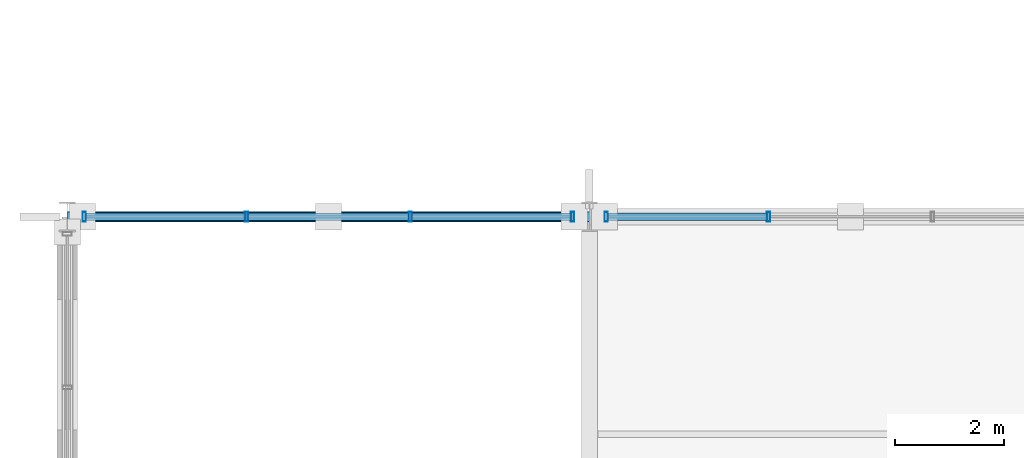
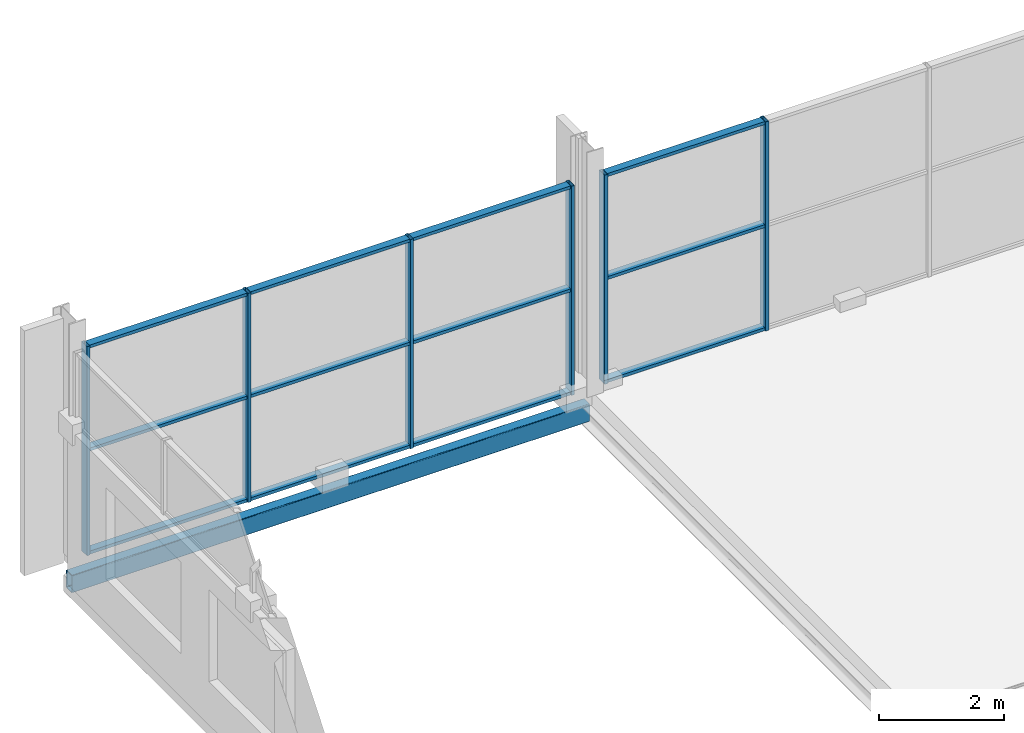
# One storey, part 80 of 159: 18 members, 1 beam, 2 elements without a shape of their own.
"""IFC4 building model written with IfcOpenShell, lengths in metres."""

from ifc_helpers import new_model, si_unit, direction, frame, origin, origin_2d, place, context, subcontext, project, spatial, hollow_rectangle, extrude, material, material_profile, profile_set, type_object, element, aggregate, save


model = new_model("IFC4")

# Units and contexts
model_context = context("Model", 3, precision=1e-05, world=origin(), true_north=direction((0.0, 1.0)))
body_context = subcontext(model_context, "Body", "Model", "MODEL_VIEW")
ifc_project = project(units=[si_unit("LENGTHUNIT", "METRE"), si_unit("AREAUNIT", "SQUARE_METRE"), si_unit("VOLUMEUNIT", "CUBIC_METRE"), si_unit("PLANEANGLEUNIT", "RADIAN"), si_unit("MASSUNIT", "GRAM", prefix="KILO")], contexts=[model_context])

# Site, building, storey
site_placement = place(None, origin())
site = spatial("IfcSite", under=ifc_project, at=site_placement, CompositionType="ELEMENT")
building_placement = place(site_placement, origin())
building = spatial("IfcBuilding", under=site, at=building_placement, Name="Merenkruunu Market Hall", CompositionType="ELEMENT")
storey_placement = place(building_placement, frame((0.0, 0.0, 5.39990234375)))
storey = spatial("IfcBuildingStorey", under=building, at=storey_placement, Name="L01", CompositionType="ELEMENT", Elevation=5.39990234375)

# Curtain wall, members
ifc_material_1 = material(Name="Powder-coated aluminium", Category="aluminium")
curtain_wall_type = type_object("IfcCurtainWallType", Name="Glazed Curtain Wall CW09", PredefinedType="USERDEFINED", material=ifc_material_1)
curtain_wall_1_placement = place(storey_placement, origin())
curtain_wall_1 = element("IfcCurtainWall", 1, at=curtain_wall_1_placement, inside=storey, type_object=curtain_wall_type, Name="CW-L01-CWM02-052", ObjectType="GLAZED_FACADE", PredefinedType="USERDEFINED")
ifc_material_profile_1 = material_profile(ifc_material_1, hollow_rectangle(XDim=0.06005859375, YDim=0.179931640625, WallThickness=0.00390625, at=origin_2d()), Name="ALU 60x180x4")
ifc_profile_set_1 = profile_set([ifc_material_profile_1], Name="Powder-coated aluminium")
member_type_1 = type_object("IfcMemberType", Name="Curtain Wall Mullion CWM02", PredefinedType="MULLION", material=ifc_profile_set_1)
member_1_placement = place(storey_placement, frame((0.31005859375, 111.60009765625, 0.0), z_axis=(0.0, 0.0, 1.0), x_axis=(1.0, 0.0, 0.0)))
member_1 = element("IfcMember", 2, at=member_1_placement, type_object=member_type_1, Name="CW09 mullion 1", PredefinedType="MULLION", context=body_context, shape_type="SweptSolid", body=[
    extrude(hollow_rectangle(XDim=0.06005859375, YDim=0.179931640625, WallThickness=0.00390625, at=origin_2d()), origin(), (0.0, 0.0, 1.0), 4.10009765625),
])
member_2_placement = place(storey_placement, frame((3.293212890625, 111.60009765625, 0.0), z_axis=(0.0, 0.0, 1.0), x_axis=(1.0, 0.0, 0.0)))
member_2 = element("IfcMember", 3, at=member_2_placement, type_object=member_type_1, Name="CW09 mullion 2", PredefinedType="MULLION", context=body_context, shape_type="SweptSolid", body=[
    extrude(hollow_rectangle(XDim=0.06005859375, YDim=0.179931640625, WallThickness=0.00390625, at=origin_2d()), origin(), (0.0, 0.0, 1.0), 4.10009765625),
])
member_3_placement = place(storey_placement, frame((6.306640625, 111.60009765625, 0.0), z_axis=(0.0, 0.0, 1.0), x_axis=(1.0, 0.0, 0.0)))
member_3 = element("IfcMember", 4, at=member_3_placement, type_object=member_type_1, Name="CW09 mullion 3", PredefinedType="MULLION", context=body_context, shape_type="SweptSolid", body=[
    extrude(hollow_rectangle(XDim=0.06005859375, YDim=0.179931640625, WallThickness=0.00390625, at=origin_2d()), origin(), (0.0, 0.0, 1.0), 4.10009765625),
])
member_4_placement = place(storey_placement, frame((9.2900390625, 111.60009765625, 0.0), z_axis=(0.0, 0.0, 1.0), x_axis=(1.0, 0.0, 0.0)))
member_4 = element("IfcMember", 5, at=member_4_placement, type_object=member_type_1, Name="CW09 mullion 4", PredefinedType="MULLION", context=body_context, shape_type="SweptSolid", body=[
    extrude(hollow_rectangle(XDim=0.06005859375, YDim=0.179931640625, WallThickness=0.00390625, at=origin_2d()), origin(), (0.0, 0.0, 1.0), 4.10009765625),
])

curtain_wall_2_placement = place(storey_placement, origin())
curtain_wall_2 = element("IfcCurtainWall", 6, at=curtain_wall_2_placement, inside=storey, type_object=curtain_wall_type, Name="CW-L01-CWM02-054", ObjectType="GLAZED_FACADE", PredefinedType="USERDEFINED")
member_5_placement = place(storey_placement, frame((9.909912109375, 111.60009765625, 0.0), z_axis=(0.0, 0.0, 1.0), x_axis=(1.0, 0.0, 0.0)))
member_5 = element("IfcMember", 7, at=member_5_placement, type_object=member_type_1, Name="CW09 mullion 1", PredefinedType="MULLION", context=body_context, shape_type="SweptSolid", body=[
    extrude(hollow_rectangle(XDim=0.06005859375, YDim=0.179931640625, WallThickness=0.00390625, at=origin_2d()), origin(), (0.0, 0.0, 1.0), 4.10009765625),
])
member_6_placement = place(storey_placement, frame((12.893310546875, 111.60009765625, 0.0), z_axis=(0.0, 0.0, 1.0), x_axis=(1.0, 0.0, 0.0)))
member_6 = element("IfcMember", 8, at=member_6_placement, type_object=member_type_1, Name="CW09 mullion 2", PredefinedType="MULLION", context=body_context, shape_type="SweptSolid", body=[
    extrude(hollow_rectangle(XDim=0.06005859375, YDim=0.179931640625, WallThickness=0.00390625, at=origin_2d()), origin(), (0.0, 0.0, 1.0), 4.10009765625),
])

# Member
ifc_material_profile_2 = material_profile(ifc_material_1, hollow_rectangle(XDim=0.06005859375, YDim=0.139892578125, WallThickness=0.00390625, at=origin_2d()), Name="ALU 60x140x4")
ifc_profile_set_2 = profile_set([ifc_material_profile_2], Name="Powder-coated aluminium")
member_type_2 = type_object("IfcMemberType", Name="Curtain Wall Transom CWT02", PredefinedType="USERDEFINED", material=ifc_profile_set_2)
member_7_placement = place(storey_placement, frame((0.340087890625, 111.60009765625, 0.030029296875), z_axis=(1.0, 0.0, 0.0), x_axis=(0.0, 0.0, 1.0)))
member_7 = element("IfcMember", 9, at=member_7_placement, type_object=member_type_2, Name="CW09 transom 1.1", ObjectType="TRANSOM", PredefinedType="USERDEFINED", context=body_context, shape_type="SweptSolid", body=[
    extrude(hollow_rectangle(XDim=0.06005859375, YDim=0.139892578125, WallThickness=0.00390625, at=origin_2d()), origin(), (0.0, 0.0, 1.0), 2.92333984375),
])

member_8_placement = place(storey_placement, frame((0.340087890625, 111.60009765625, 2.050048828125), z_axis=(1.0, 0.0, 0.0), x_axis=(0.0, 0.0, 1.0)))
member_8 = element("IfcMember", 10, at=member_8_placement, type_object=member_type_2, Name="CW09 transom 1.2", ObjectType="TRANSOM", PredefinedType="USERDEFINED", context=body_context, shape_type="SweptSolid", body=[
    extrude(hollow_rectangle(XDim=0.06005859375, YDim=0.139892578125, WallThickness=0.00390625, at=origin_2d()), origin(), (0.0, 0.0, 1.0), 2.92333984375),
])

member_9_placement = place(storey_placement, frame((0.340087890625, 111.60009765625, 4.070068359375), z_axis=(1.0, 0.0, 0.0), x_axis=(0.0, 0.0, 1.0)))
member_9 = element("IfcMember", 11, at=member_9_placement, type_object=member_type_2, Name="CW09 transom 1.3", ObjectType="TRANSOM", PredefinedType="USERDEFINED", context=body_context, shape_type="SweptSolid", body=[
    extrude(hollow_rectangle(XDim=0.06005859375, YDim=0.139892578125, WallThickness=0.00390625, at=origin_2d()), origin(), (0.0, 0.0, 1.0), 2.92333984375),
])

member_10_placement = place(storey_placement, frame((3.3232421875, 111.60009765625, 0.030029296875), z_axis=(1.0, 0.0, 0.0), x_axis=(0.0, 0.0, 1.0)))
member_10 = element("IfcMember", 12, at=member_10_placement, type_object=member_type_2, Name="CW09 transom 2.1", ObjectType="TRANSOM", PredefinedType="USERDEFINED", context=body_context, shape_type="SweptSolid", body=[
    extrude(hollow_rectangle(XDim=0.06005859375, YDim=0.139892578125, WallThickness=0.00390625, at=origin_2d()), origin(), (0.0, 0.0, 1.0), 2.953369140625),
])

member_11_placement = place(storey_placement, frame((3.3232421875, 111.60009765625, 2.050048828125), z_axis=(1.0, 0.0, 0.0), x_axis=(0.0, 0.0, 1.0)))
member_11 = element("IfcMember", 13, at=member_11_placement, type_object=member_type_2, Name="CW09 transom 2.2", ObjectType="TRANSOM", PredefinedType="USERDEFINED", context=body_context, shape_type="SweptSolid", body=[
    extrude(hollow_rectangle(XDim=0.06005859375, YDim=0.139892578125, WallThickness=0.00390625, at=origin_2d()), origin(), (0.0, 0.0, 1.0), 2.953369140625),
])

member_12_placement = place(storey_placement, frame((3.3232421875, 111.60009765625, 4.070068359375), z_axis=(1.0, 0.0, 0.0), x_axis=(0.0, 0.0, 1.0)))
member_12 = element("IfcMember", 14, at=member_12_placement, type_object=member_type_2, Name="CW09 transom 2.3", ObjectType="TRANSOM", PredefinedType="USERDEFINED", context=body_context, shape_type="SweptSolid", body=[
    extrude(hollow_rectangle(XDim=0.06005859375, YDim=0.139892578125, WallThickness=0.00390625, at=origin_2d()), origin(), (0.0, 0.0, 1.0), 2.953369140625),
])

member_13_placement = place(storey_placement, frame((6.336669921875, 111.60009765625, 0.030029296875), z_axis=(1.0, 0.0, 0.0), x_axis=(0.0, 0.0, 1.0)))
member_13 = element("IfcMember", 15, at=member_13_placement, type_object=member_type_2, Name="CW09 transom 3.1", ObjectType="TRANSOM", PredefinedType="USERDEFINED", context=body_context, shape_type="SweptSolid", body=[
    extrude(hollow_rectangle(XDim=0.06005859375, YDim=0.139892578125, WallThickness=0.00390625, at=origin_2d()), origin(), (0.0, 0.0, 1.0), 2.92333984375),
])

member_14_placement = place(storey_placement, frame((6.336669921875, 111.60009765625, 2.050048828125), z_axis=(1.0, 0.0, 0.0), x_axis=(0.0, 0.0, 1.0)))
member_14 = element("IfcMember", 16, at=member_14_placement, type_object=member_type_2, Name="CW09 transom 3.2", ObjectType="TRANSOM", PredefinedType="USERDEFINED", context=body_context, shape_type="SweptSolid", body=[
    extrude(hollow_rectangle(XDim=0.06005859375, YDim=0.139892578125, WallThickness=0.00390625, at=origin_2d()), origin(), (0.0, 0.0, 1.0), 2.92333984375),
])

member_15_placement = place(storey_placement, frame((6.336669921875, 111.60009765625, 4.070068359375), z_axis=(1.0, 0.0, 0.0), x_axis=(0.0, 0.0, 1.0)))
member_15 = element("IfcMember", 17, at=member_15_placement, type_object=member_type_2, Name="CW09 transom 3.3", ObjectType="TRANSOM", PredefinedType="USERDEFINED", context=body_context, shape_type="SweptSolid", body=[
    extrude(hollow_rectangle(XDim=0.06005859375, YDim=0.139892578125, WallThickness=0.00390625, at=origin_2d()), origin(), (0.0, 0.0, 1.0), 2.92333984375),
])

aggregate(curtain_wall_1, [member_1, member_2, member_3, member_4, member_7, member_8, member_9, member_10, member_11, member_12, member_13, member_14, member_15])

member_16_placement = place(storey_placement, frame((9.93994140625, 111.60009765625, 0.030029296875), z_axis=(1.0, 0.0, 0.0), x_axis=(0.0, 0.0, 1.0)))
member_16 = element("IfcMember", 18, at=member_16_placement, type_object=member_type_2, Name="CW09 transom 1.1", ObjectType="TRANSOM", PredefinedType="USERDEFINED", context=body_context, shape_type="SweptSolid", body=[
    extrude(hollow_rectangle(XDim=0.06005859375, YDim=0.139892578125, WallThickness=0.00390625, at=origin_2d()), origin(), (0.0, 0.0, 1.0), 2.92333984375),
])

member_17_placement = place(storey_placement, frame((9.93994140625, 111.60009765625, 2.050048828125), z_axis=(1.0, 0.0, 0.0), x_axis=(0.0, 0.0, 1.0)))
member_17 = element("IfcMember", 19, at=member_17_placement, type_object=member_type_2, Name="CW09 transom 1.2", ObjectType="TRANSOM", PredefinedType="USERDEFINED", context=body_context, shape_type="SweptSolid", body=[
    extrude(hollow_rectangle(XDim=0.06005859375, YDim=0.139892578125, WallThickness=0.00390625, at=origin_2d()), origin(), (0.0, 0.0, 1.0), 2.92333984375),
])

member_18_placement = place(storey_placement, frame((9.93994140625, 111.60009765625, 4.070068359375), z_axis=(1.0, 0.0, 0.0), x_axis=(0.0, 0.0, 1.0)))
member_18 = element("IfcMember", 20, at=member_18_placement, type_object=member_type_2, Name="CW09 transom 1.3", ObjectType="TRANSOM", PredefinedType="USERDEFINED", context=body_context, shape_type="SweptSolid", body=[
    extrude(hollow_rectangle(XDim=0.06005859375, YDim=0.139892578125, WallThickness=0.00390625, at=origin_2d()), origin(), (0.0, 0.0, 1.0), 2.92333984375),
])

aggregate(curtain_wall_2, [member_5, member_6, member_16, member_17, member_18])

# Beam
ifc_material_2 = material(Name="Steel S355J2", Category="steel")
ifc_material_profile_3 = material_profile(ifc_material_2, hollow_rectangle(XDim=0.199951171875, YDim=0.35009765625, WallThickness=0.012451171875, InnerFilletRadius=0.012451171875, OuterFilletRadius=0.02490234375, at=origin_2d()), Name="RHS 350x200x12.5")
ifc_profile_set_3 = profile_set([ifc_material_profile_3], Name="Steel S355J2")
beam_type = type_object("IfcBeamType", Name="Perimeter Spandrel Beam SP02", PredefinedType="SPANDREL", material=ifc_profile_set_3)
beam_placement = place(storey_placement, frame((0.0, 111.60009765625, -0.454833984375), z_axis=(1.0, 0.0, 0.0), x_axis=(0.0, 1.0, 0.0)))
element("IfcBeam", 21, at=beam_placement, inside=storey, type_object=beam_type, Name="BM-L01-SP02-1236", PredefinedType="SPANDREL", context=body_context, shape_type="SweptSolid", body=[
    extrude(hollow_rectangle(XDim=0.199951171875, YDim=0.35009765625, WallThickness=0.012451171875, InnerFilletRadius=0.012451171875, OuterFilletRadius=0.02490234375, at=origin_2d()), origin(), (0.0, 0.0, 1.0), 9.60009765625),
])

save(model, "model.ifc")
